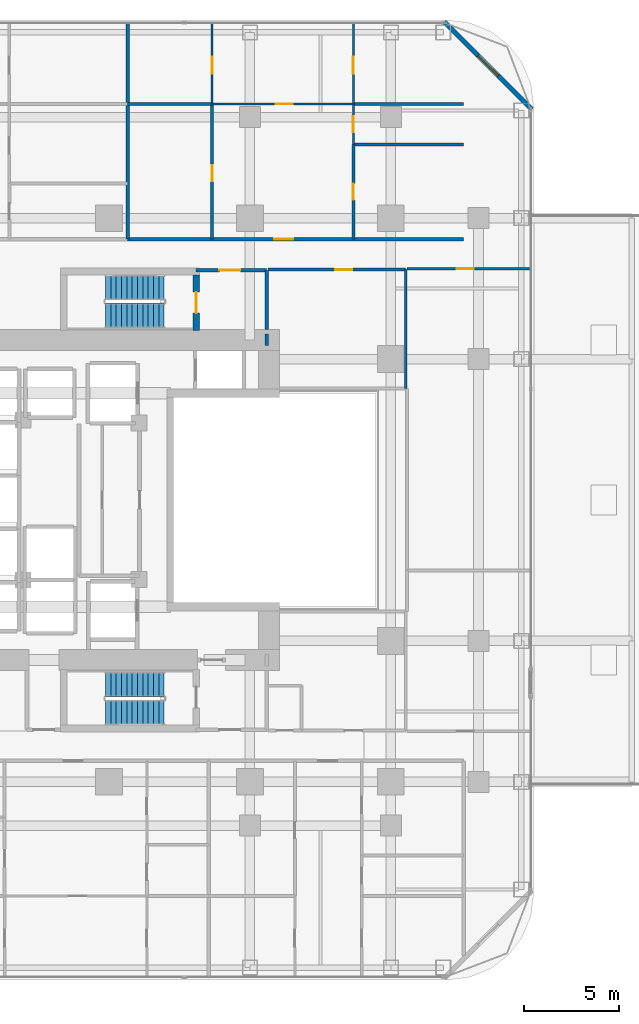
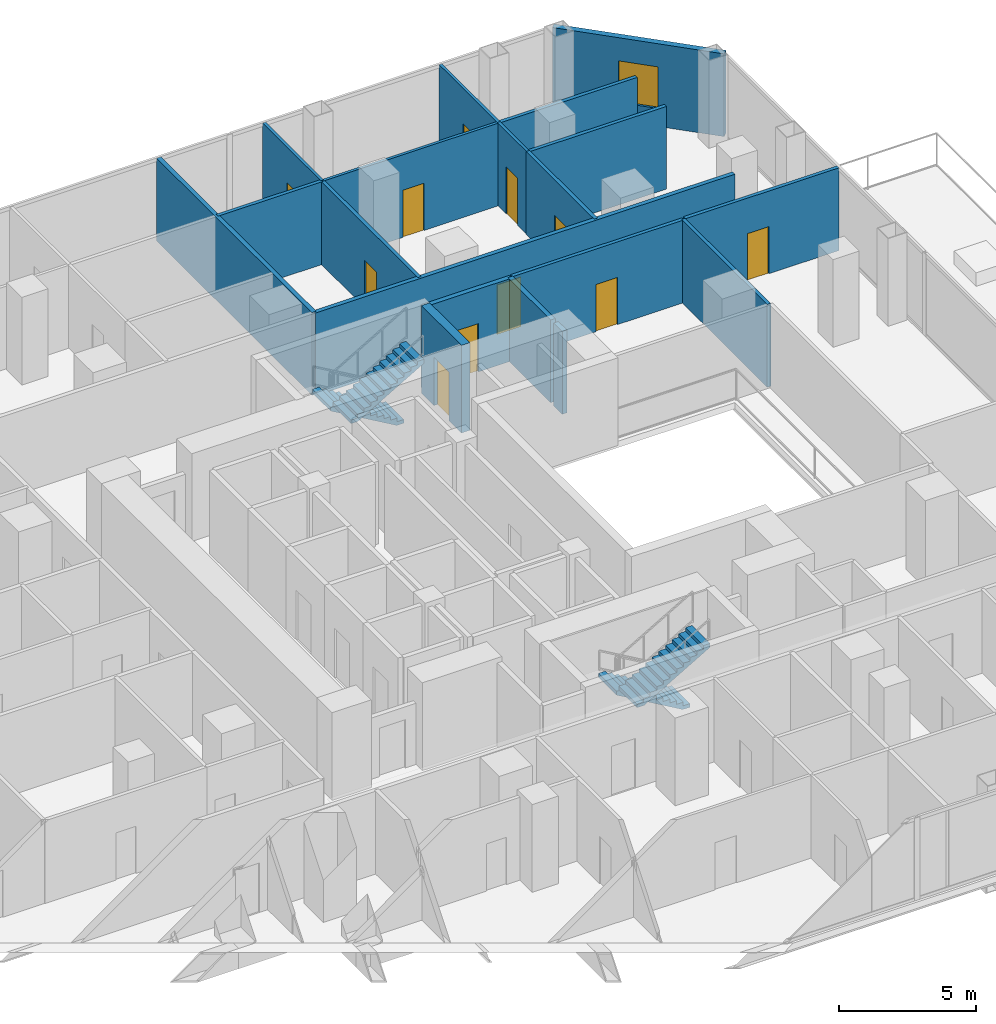
# One storey, part 24 of 29: 19 walls, 11 doors, 4 stair flights, 1 window, 12 openings, 2 elements without a shape of their own.
"""IFC4 building model written with IfcOpenShell, lengths in metres."""

from ifc_helpers import new_model, si_unit, direction, frame, frame_2d, origin, place, context, subcontext, project, spatial, polyline, rectangle, outline, extrude, material, layer, layer_set, type_object, element, fill, aggregate, save


model = new_model("IFC4")

# Units and contexts
model_context = context("Model", 3, precision=1e-05, world=origin(), true_north=direction((0.0, 1.0)))
body_context = subcontext(model_context, "Body", "Model", "MODEL_VIEW")
ifc_project = project(units=[si_unit("LENGTHUNIT", "METRE"), si_unit("AREAUNIT", "SQUARE_METRE"), si_unit("VOLUMEUNIT", "CUBIC_METRE"), si_unit("PLANEANGLEUNIT", "RADIAN"), si_unit("MASSUNIT", "GRAM", prefix="KILO")], contexts=[model_context])

# Site, building, storey
site_placement = place(None, origin())
site = spatial("IfcSite", under=ifc_project, at=site_placement, CompositionType="ELEMENT")
building_placement = place(site_placement, origin())
building = spatial("IfcBuilding", under=site, at=building_placement, Name="Khorvyn Point Tower", CompositionType="ELEMENT")
storey_placement = place(building_placement, frame((0.0, 0.0, 54.0)))
storey = spatial("IfcBuildingStorey", under=building, at=storey_placement, Name="L14", CompositionType="ELEMENT", Elevation=54.0)

# Wall, opening, door
ifc_material_1 = material(Name="Double acoustic gypsum on twin steel stud", Category="steel")
ifc_layer_1 = layer(ifc_material_1, 0.179931640625)
ifc_layer_set_1 = layer_set([ifc_layer_1], Name="Acoustic Double-Stud Apartment Demising Wall 180")
wall_type_1 = type_object("IfcWallType", Name="Acoustic Double-Stud Apartment Demising Wall 180", PredefinedType="PARTITIONING", material=ifc_layer_set_1)
wall_1_placement = place(storey_placement, frame((0.97412109375, 13.699951171875, 0.0), z_axis=(0.0, 0.0, 1.0), x_axis=(1.0, 0.0, 0.0)))
wall_1 = element("IfcWall", 1, at=wall_1_placement, inside=storey, type_object=wall_type_1, Name="Wall", PredefinedType="PARTITIONING", context=body_context, shape_type="SweptSolid", body=[
    extrude(rectangle(XDim=17.64599609375, YDim=0.179931640625, at=frame_2d((8.822998046875, 0.0))), origin(), (0.0, 0.0, 1.0), 3.679931640625),
])
opening_1_placement = place(wall_1_placement, frame((7.695068359375, 0.0, 0.0)))
opening_1 = element("IfcOpeningElement", 2, at=opening_1_placement, cuts=wall_1, Name="Opening ID-AP60", PredefinedType="OPENING", context=body_context, shape_type="SweptSolid", body=[
    extrude(rectangle(XDim=1.0, YDim=2.199951171875, at=frame_2d((0.5, 1.10009765625))), frame((0.0, 0.099853515625, 0.0), z_axis=(0.0, -1.0, 0.0), x_axis=(1.0, 0.0, 0.0)), (0.0, 0.0, 1.0), 0.199951171875),
])
ifc_material_2 = material(Name="Engineered hardwood fire-rated leaf", Category="wood")
door_type_1 = type_object("IfcDoorType", Name="Acoustic Solid-Core Timber Apartment Entrance Door 1000x2200", OperationType="NOTDEFINED", PredefinedType="DOOR", material=ifc_material_2)
door_1_placement = place(opening_1_placement, origin())
door_1 = element("IfcDoor", 3, at=door_1_placement, inside=storey, type_object=door_type_1, Name="Door", OperationType="SINGLE_SWING_LEFT", OverallHeight=2.199951171875, OverallWidth=1.0, PredefinedType="DOOR", context=body_context, shape_type="SweptSolid", body=[
    extrude(rectangle(XDim=1.0, YDim=2.199951171875, at=frame_2d((0.5, 1.10009765625))), frame((0.0, 0.02490234375, 0.0), z_axis=(0.0, -1.0, 0.0), x_axis=(1.0, 0.0, 0.0)), (0.0, 0.0, 1.0), 0.050048828125),
])
fill(opening_1, door_1)

# Wall
wall_2_placement = place(storey_placement, frame((0.97412109375, 13.699951171875, 0.0), z_axis=(0.0, 0.0, 1.0), x_axis=(0.0, 1.0, 0.0)))
element("IfcWall", 4, at=wall_2_placement, inside=storey, type_object=wall_type_1, Name="Wall", PredefinedType="PARTITIONING", context=body_context, shape_type="SweptSolid", body=[
    extrude(rectangle(XDim=11.330078125, YDim=0.179931640625, at=frame_2d((5.6650390625, 0.0))), origin(), (0.0, 0.0, 1.0), 3.679931640625),
])

# Wall, opening, window
ifc_material_3 = material(Name="Pale anodised aluminium rainscreen on steel stud", Category="steel")
ifc_layer_2 = layer(ifc_material_3, 0.239990234375)
ifc_layer_set_2 = layer_set([ifc_layer_2], Name="Anodised Aluminium Insulated Corner Spandrel Wall 240")
wall_type_2 = type_object("IfcWallType", Name="Anodised Aluminium Insulated Corner Spandrel Wall 240", PredefinedType="SOLIDWALL", material=ifc_layer_set_2)
wall_3_placement = place(storey_placement, frame((17.607666015625, 25.09228515625, 0.0), z_axis=(0.0, 0.0, 1.0), x_axis=(0.707106781187, -0.707106781187, 0.0)))
wall_3 = element("IfcWall", 5, at=wall_3_placement, inside=storey, type_object=wall_type_2, Name="L14 Rounded Corner Wall NE", PredefinedType="SOLIDWALL", context=body_context, shape_type="SweptSolid", body=[
    extrude(rectangle(XDim=6.48388671875, YDim=0.239990234375, at=frame_2d((3.241943359375, 0.0))), origin(), (0.0, 0.0, 1.0), 3.679931640625),
])
opening_2_placement = place(wall_3_placement, frame((2.491943359375, 0.0, 0.800048828125)))
opening_2 = element("IfcOpeningElement", 6, at=opening_2_placement, cuts=wall_3, Name="Opening WN-1518", PredefinedType="OPENING", context=body_context, shape_type="SweptSolid", body=[
    extrude(rectangle(XDim=1.5, YDim=1.85009765625, at=frame_2d((0.75, 0.925048828125))), frame((0.0, 0.1298828125, 0.0), z_axis=(0.0, -1.0, 0.0), x_axis=(1.0, 0.0, 0.0)), (0.0, 0.0, 1.0), 0.260009765625),
])
ifc_material_4 = material(Name="Anodised aluminium 6063-T6 and laminated Low-E glass", Category="aluminium")
window_type = type_object("IfcWindowType", Name="Anodised Aluminium Rounded-Corner Panoramic Window 1500x1850", PartitioningType="SINGLE_PANEL", PredefinedType="WINDOW", material=ifc_material_4)
window_placement = place(opening_2_placement, origin())
window = element("IfcWindow", 7, at=window_placement, inside=storey, type_object=window_type, Name="L14 Corner Panoramic Window NE", OverallHeight=1.85009765625, OverallWidth=1.5, PartitioningType="SINGLE_PANEL", PredefinedType="WINDOW", context=body_context, shape_type="SweptSolid", body=[
    extrude(rectangle(XDim=1.5, YDim=1.85009765625, at=frame_2d((0.75, 0.925048828125))), frame((0.0, 0.030029296875, 0.0), z_axis=(0.0, -1.0, 0.0), x_axis=(1.0, 0.0, 0.0)), (0.0, 0.0, 1.0), 0.06005859375),
])
fill(opening_2, window)

# Wall, opening, door
ifc_material_5 = material(Name="Concrete C40/50", Category="concrete")
ifc_layer_3 = layer(ifc_material_5, 0.199951171875)
ifc_layer_set_3 = layer_set([ifc_layer_3], Name="Concrete C40/50 Fire-Lobby Compartment Wall 200")
wall_type_3 = type_object("IfcWallType", Name="Concrete C40/50 Fire-Lobby Compartment Wall 200", PredefinedType="SOLIDWALL", material=ifc_layer_set_3)
wall_4_placement = place(storey_placement, frame((4.580078125, 12.06005859375, 0.0), z_axis=(0.0, 0.0, 1.0), x_axis=(1.0, 0.0, 0.0)))
wall_4 = element("IfcWall", 8, at=wall_4_placement, inside=storey, type_object=wall_type_3, Name="Wall", PredefinedType="SOLIDWALL", context=body_context, shape_type="SweptSolid", body=[
    extrude(rectangle(XDim=3.699951171875, YDim=0.199951171875, at=frame_2d((1.85009765625, 0.0))), origin(), (0.0, 0.0, 1.0), 3.679931640625),
])
opening_3_placement = place(wall_4_placement, frame((1.21240234375, 0.0, 0.0)))
opening_3 = element("IfcOpeningElement", 9, at=opening_3_placement, cuts=wall_4, Name="Opening ID-FL90", PredefinedType="OPENING", context=body_context, shape_type="SweptSolid", body=[
    extrude(rectangle(XDim=1.10009765625, YDim=2.14990234375, at=frame_2d((0.550048828125, 1.074951171875))), frame((0.0, 0.10986328125, 0.0), z_axis=(0.0, -1.0, 0.0), x_axis=(1.0, 0.0, 0.0)), (0.0, 0.0, 1.0), 0.219970703125),
])
ifc_material_6 = material(Name="Galvanised powder-coated steel", Category="steel")
door_type_2 = type_object("IfcDoorType", Name="Fire-Rated Steel Lobby and Stair Door 1100x2150", OperationType="NOTDEFINED", PredefinedType="DOOR", material=ifc_material_6)
door_2_placement = place(opening_3_placement, origin())
door_2 = element("IfcDoor", 10, at=door_2_placement, inside=storey, type_object=door_type_2, Name="Door", OperationType="SINGLE_SWING_LEFT", OverallHeight=2.14990234375, OverallWidth=1.10009765625, PredefinedType="DOOR", context=body_context, shape_type="SweptSolid", body=[
    extrude(rectangle(XDim=1.10009765625, YDim=2.14990234375, at=frame_2d((0.550048828125, 1.074951171875))), frame((0.0, 0.02490234375, 0.0), z_axis=(0.0, -1.0, 0.0), x_axis=(1.0, 0.0, 0.0)), (0.0, 0.0, 1.0), 0.050048828125),
])
fill(opening_3, door_2)

# Walls
wall_5_placement = place(storey_placement, frame((8.280029296875, 8.949951171875, 0.0), z_axis=(0.0, 0.0, 1.0), x_axis=(0.0, 1.0, 0.0)))
element("IfcWall", 11, at=wall_5_placement, inside=storey, type_object=wall_type_3, Name="Wall", PredefinedType="SOLIDWALL", context=body_context, shape_type="SweptSolid", body=[
    extrude(rectangle(XDim=3.110107421875, YDim=0.199951171875, at=frame_2d((1.55517578125, 0.0))), origin(), (0.0, 0.0, 1.0), 3.679931640625),
])
wall_6_placement = place(storey_placement, frame((8.280029296875, 8.10009765625, 0.0), z_axis=(0.0, 0.0, 1.0), x_axis=(0.0, 1.0, 0.0)))
element("IfcWall", 12, at=wall_6_placement, inside=storey, type_object=wall_type_3, Name="Wall", PredefinedType="SOLIDWALL", context=body_context, shape_type="SweptSolid", body=[
    extrude(rectangle(XDim=0.625, YDim=0.199951171875, at=frame_2d((0.3125, 0.0))), origin(), (0.0, 0.0, 1.0), 3.679931640625),
])

# Wall, opening, door
ifc_layer_4 = layer(ifc_material_5, 0.35009765625)
ifc_layer_set_4 = layer_set([ifc_layer_4], Name="Concrete C40/50 Stair Shaft Structural Wall 350")
wall_type_4 = type_object("IfcWallType", Name="Concrete C40/50 Stair Shaft Structural Wall 350", PredefinedType="SHEAR", material=ifc_layer_set_4)
wall_7_placement = place(storey_placement, frame((4.580078125, 11.824951171875, 0.0), z_axis=(0.0, 0.0, 1.0), x_axis=(0.0, -1.0, 0.0)))
wall_7 = element("IfcWall", 13, at=wall_7_placement, inside=storey, type_object=wall_type_4, Name="L14 ST-02 East Landing Door Wall", PredefinedType="SHEAR", context=body_context, shape_type="SweptSolid", body=[
    extrude(rectangle(XDim=2.925048828125, YDim=0.35009765625, at=frame_2d((1.46240234375, 0.0))), origin(), (0.0, 0.0, 1.0), 3.89990234375),
])
opening_4_placement = place(wall_7_placement, frame((0.91259765625, 0.0, 0.0)))
opening_4 = element("IfcOpeningElement", 14, at=opening_4_placement, cuts=wall_7, Name="Opening ID-FL90", PredefinedType="OPENING", context=body_context, shape_type="SweptSolid", body=[
    extrude(rectangle(XDim=1.10009765625, YDim=2.14990234375, at=frame_2d((0.550048828125, 1.074951171875))), frame((0.0, 0.18505859375, 0.0), z_axis=(0.0, -1.0, 0.0), x_axis=(1.0, 0.0, 0.0)), (0.0, 0.0, 1.0), 0.3701171875),
])
door_3_placement = place(opening_4_placement, origin())
door_3 = element("IfcDoor", 15, at=door_3_placement, inside=storey, type_object=door_type_2, Name="L14 ST-02 Smokeproof Landing Door", OperationType="SINGLE_SWING_LEFT", OverallHeight=2.14990234375, OverallWidth=1.10009765625, PredefinedType="DOOR", context=body_context, shape_type="SweptSolid", body=[
    extrude(rectangle(XDim=1.10009765625, YDim=2.14990234375, at=frame_2d((0.550048828125, 1.074951171875))), frame((0.0, 0.02490234375, 0.0), z_axis=(0.0, -1.0, 0.0), x_axis=(1.0, 0.0, 0.0)), (0.0, 0.0, 1.0), 0.050048828125),
])
fill(opening_4, door_3)

ifc_material_7 = material(Name="Gypsum plasterboard on steel stud", Category="steel")
ifc_layer_5 = layer(ifc_material_7, 0.1201171875)
ifc_layer_set_5 = layer_set([ifc_layer_5], Name="Gypsum Acoustic Stud Room Partition Wall 120")
wall_type_5 = type_object("IfcWallType", Name="Gypsum Acoustic Stud Room Partition Wall 120", PredefinedType="PARTITIONING", material=ifc_layer_set_5)
wall_8_placement = place(storey_placement, frame((5.412109375, 20.7900390625, 0.0), z_axis=(0.0, 0.0, 1.0), x_axis=(1.0, 0.0, 0.0)))
wall_8 = element("IfcWall", 16, at=wall_8_placement, inside=storey, type_object=wall_type_5, Name="Wall", PredefinedType="PARTITIONING", context=body_context, shape_type="SweptSolid", body=[
    extrude(rectangle(XDim=7.419921875, YDim=0.1201171875, at=frame_2d((3.7099609375, 0.0))), origin(), (0.0, 0.0, 1.0), 3.679931640625),
])
opening_5_placement = place(wall_8_placement, frame((3.3486328125, 0.0, 0.0)))
opening_5 = element("IfcOpeningElement", 17, at=opening_5_placement, cuts=wall_8, Name="Opening ID-RM90", PredefinedType="OPENING", context=body_context, shape_type="SweptSolid", body=[
    extrude(rectangle(XDim=0.89990234375, YDim=2.10009765625, at=frame_2d((0.449951171875, 1.050048828125))), frame((0.0, 0.070068359375, 0.0), z_axis=(0.0, -1.0, 0.0), x_axis=(1.0, 0.0, 0.0)), (0.0, 0.0, 1.0), 0.14013671875),
])
ifc_material_8 = material(Name="Engineered oak veneer timber", Category="wood")
door_type_3 = type_object("IfcDoorType", Name="Flush Engineered Timber Room Door 900x2100", OperationType="NOTDEFINED", PredefinedType="DOOR", material=ifc_material_8)
door_4_placement = place(opening_5_placement, origin())
door_4 = element("IfcDoor", 18, at=door_4_placement, inside=storey, type_object=door_type_3, Name="Door", OperationType="SINGLE_SWING_RIGHT", OverallHeight=2.10009765625, OverallWidth=0.89990234375, PredefinedType="DOOR", context=body_context, shape_type="SweptSolid", body=[
    extrude(rectangle(XDim=0.89990234375, YDim=2.10009765625, at=frame_2d((0.449951171875, 1.050048828125))), frame((0.0, 0.02490234375, 0.0), z_axis=(0.0, -1.0, 0.0), x_axis=(1.0, 0.0, 0.0)), (0.0, 0.0, 1.0), 0.050048828125),
])
fill(opening_5, door_4)

wall_9_placement = place(storey_placement, frame((5.412109375, 20.7900390625, 0.0), z_axis=(0.0, 0.0, 1.0), x_axis=(0.0, 1.0, 0.0)))
wall_9 = element("IfcWall", 19, at=wall_9_placement, inside=storey, type_object=wall_type_5, Name="Wall", PredefinedType="PARTITIONING", context=body_context, shape_type="SweptSolid", body=[
    extrude(rectangle(XDim=4.239990234375, YDim=0.1201171875, at=frame_2d((2.1201171875, 0.0))), origin(), (0.0, 0.0, 1.0), 3.679931640625),
])
opening_6_placement = place(wall_9_placement, frame((1.581298828125, 0.0, 0.0)))
opening_6 = element("IfcOpeningElement", 20, at=opening_6_placement, cuts=wall_9, Name="Opening ID-RM90", PredefinedType="OPENING", context=body_context, shape_type="SweptSolid", body=[
    extrude(rectangle(XDim=0.89990234375, YDim=2.10009765625, at=frame_2d((0.449951171875, 1.050048828125))), frame((0.0, 0.070068359375, 0.0), z_axis=(0.0, -1.0, 0.0), x_axis=(1.0, 0.0, 0.0)), (0.0, 0.0, 1.0), 0.14013671875),
])
door_5_placement = place(opening_6_placement, origin())
door_5 = element("IfcDoor", 21, at=door_5_placement, inside=storey, type_object=door_type_3, Name="Door", OperationType="SINGLE_SWING_RIGHT", OverallHeight=2.10009765625, OverallWidth=0.89990234375, PredefinedType="DOOR", context=body_context, shape_type="SweptSolid", body=[
    extrude(rectangle(XDim=0.89990234375, YDim=2.10009765625, at=frame_2d((0.449951171875, 1.050048828125))), frame((0.0, 0.02490234375, 0.0), z_axis=(0.0, -1.0, 0.0), x_axis=(1.0, 0.0, 0.0)), (0.0, 0.0, 1.0), 0.050048828125),
])
fill(opening_6, door_5)

wall_10_placement = place(storey_placement, frame((12.83203125, 18.6630859375, 0.0), z_axis=(0.0, 0.0, 1.0), x_axis=(0.0, 1.0, 0.0)))
wall_10 = element("IfcWall", 22, at=wall_10_placement, inside=storey, type_object=wall_type_5, Name="Wall", PredefinedType="PARTITIONING", context=body_context, shape_type="SweptSolid", body=[
    extrude(rectangle(XDim=2.126953125, YDim=0.1201171875, at=frame_2d((1.0634765625, 0.0))), origin(), (0.0, 0.0, 1.0), 3.679931640625),
])
opening_7_placement = place(wall_10_placement, frame((0.638427734375, 0.0, 0.0)))
opening_7 = element("IfcOpeningElement", 23, at=opening_7_placement, cuts=wall_10, Name="Opening ID-WC85", PredefinedType="OPENING", context=body_context, shape_type="SweptSolid", body=[
    extrude(rectangle(XDim=0.85009765625, YDim=2.10009765625, at=frame_2d((0.425048828125, 1.050048828125))), frame((0.0, 0.070068359375, 0.0), z_axis=(0.0, -1.0, 0.0), x_axis=(1.0, 0.0, 0.0)), (0.0, 0.0, 1.0), 0.14013671875),
])
ifc_material_9 = material(Name="High-pressure laminate on moisture-resistant core", Category="wood")
door_type_4 = type_object("IfcDoorType", Name="Moisture-Resistant Accessible Washroom Door 850x2100", OperationType="NOTDEFINED", PredefinedType="DOOR", material=ifc_material_9)
door_6_placement = place(opening_7_placement, origin())
door_6 = element("IfcDoor", 24, at=door_6_placement, inside=storey, type_object=door_type_4, Name="Door", OperationType="SINGLE_SWING_RIGHT", OverallHeight=2.10009765625, OverallWidth=0.85009765625, PredefinedType="DOOR", context=body_context, shape_type="SweptSolid", body=[
    extrude(rectangle(XDim=0.85009765625, YDim=2.10009765625, at=frame_2d((0.425048828125, 1.050048828125))), frame((0.0, 0.02490234375, 0.0), z_axis=(0.0, -1.0, 0.0), x_axis=(1.0, 0.0, 0.0)), (0.0, 0.0, 1.0), 0.050048828125),
])
fill(opening_7, door_6)

wall_11_placement = place(storey_placement, frame((12.83203125, 20.7900390625, 0.0), z_axis=(0.0, 0.0, 1.0), x_axis=(0.0, 1.0, 0.0)))
wall_11 = element("IfcWall", 25, at=wall_11_placement, inside=storey, type_object=wall_type_5, Name="Wall", PredefinedType="PARTITIONING", context=body_context, shape_type="SweptSolid", body=[
    extrude(rectangle(XDim=4.239990234375, YDim=0.1201171875, at=frame_2d((2.1201171875, 0.0))), origin(), (0.0, 0.0, 1.0), 3.679931640625),
])
opening_8_placement = place(wall_11_placement, frame((1.581298828125, 0.0, 0.0)))
opening_8 = element("IfcOpeningElement", 26, at=opening_8_placement, cuts=wall_11, Name="Opening ID-RM90", PredefinedType="OPENING", context=body_context, shape_type="SweptSolid", body=[
    extrude(rectangle(XDim=0.89990234375, YDim=2.10009765625, at=frame_2d((0.449951171875, 1.050048828125))), frame((0.0, 0.070068359375, 0.0), z_axis=(0.0, -1.0, 0.0), x_axis=(1.0, 0.0, 0.0)), (0.0, 0.0, 1.0), 0.14013671875),
])
door_7_placement = place(opening_8_placement, origin())
door_7 = element("IfcDoor", 27, at=door_7_placement, inside=storey, type_object=door_type_3, Name="Door", OperationType="SINGLE_SWING_LEFT", OverallHeight=2.10009765625, OverallWidth=0.89990234375, PredefinedType="DOOR", context=body_context, shape_type="SweptSolid", body=[
    extrude(rectangle(XDim=0.89990234375, YDim=2.10009765625, at=frame_2d((0.449951171875, 1.050048828125))), frame((0.0, 0.02490234375, 0.0), z_axis=(0.0, -1.0, 0.0), x_axis=(1.0, 0.0, 0.0)), (0.0, 0.0, 1.0), 0.050048828125),
])
fill(opening_8, door_7)

ifc_material_10 = material(Name="Moisture-resistant gypsum and cement board", Category="gypsum")
ifc_layer_6 = layer(ifc_material_10, 0.14990234375)
ifc_layer_set_6 = layer_set([ifc_layer_6], Name="Moisture-Resistant Wet-Room Partition Wall 150")
wall_type_6 = type_object("IfcWallType", Name="Moisture-Resistant Wet-Room Partition Wall 150", PredefinedType="PARTITIONING", material=ifc_layer_set_6)
wall_12_placement = place(storey_placement, frame((8.360107421875, 12.10009765625, 0.0), z_axis=(0.0, 0.0, 1.0), x_axis=(1.0, 0.0, 0.0)))
wall_12 = element("IfcWall", 28, at=wall_12_placement, inside=storey, type_object=wall_type_6, Name="Wall", PredefinedType="PARTITIONING", context=body_context, shape_type="SweptSolid", body=[
    extrude(rectangle(XDim=7.219970703125, YDim=0.14990234375, at=frame_2d((3.60986328125, 0.0))), origin(), (0.0, 0.0, 1.0), 3.679931640625),
])
opening_9_placement = place(wall_12_placement, frame((3.512939453125, 0.0, 0.0)))
opening_9 = element("IfcOpeningElement", 29, at=opening_9_placement, cuts=wall_12, Name="Opening ID-RM90", PredefinedType="OPENING", context=body_context, shape_type="SweptSolid", body=[
    extrude(rectangle(XDim=0.89990234375, YDim=2.10009765625, at=frame_2d((0.449951171875, 1.050048828125))), frame((0.0, 0.0849609375, 0.0), z_axis=(0.0, -1.0, 0.0), x_axis=(1.0, 0.0, 0.0)), (0.0, 0.0, 1.0), 0.169921875),
])
door_8_placement = place(opening_9_placement, origin())
door_8 = element("IfcDoor", 30, at=door_8_placement, inside=storey, type_object=door_type_3, Name="Door", OperationType="SINGLE_SWING_LEFT", OverallHeight=2.10009765625, OverallWidth=0.89990234375, PredefinedType="DOOR", context=body_context, shape_type="SweptSolid", body=[
    extrude(rectangle(XDim=0.89990234375, YDim=2.10009765625, at=frame_2d((0.449951171875, 1.050048828125))), frame((0.0, 0.02490234375, 0.0), z_axis=(0.0, -1.0, 0.0), x_axis=(1.0, 0.0, 0.0)), (0.0, 0.0, 1.0), 0.050048828125),
])
fill(opening_9, door_8)

wall_13_placement = place(storey_placement, frame((5.412109375, 13.699951171875, 0.0), z_axis=(0.0, 0.0, 1.0), x_axis=(0.0, 1.0, 0.0)))
wall_13 = element("IfcWall", 31, at=wall_13_placement, inside=storey, type_object=wall_type_6, Name="Wall", PredefinedType="PARTITIONING", context=body_context, shape_type="SweptSolid", body=[
    extrude(rectangle(XDim=7.090087890625, YDim=0.14990234375, at=frame_2d((3.544921875, 0.0))), origin(), (0.0, 0.0, 1.0), 3.679931640625),
])
opening_10_placement = place(wall_13_placement, frame((3.0302734375, 0.0, 0.0)))
opening_10 = element("IfcOpeningElement", 32, at=opening_10_placement, cuts=wall_13, Name="Opening ID-WC85", PredefinedType="OPENING", context=body_context, shape_type="SweptSolid", body=[
    extrude(rectangle(XDim=0.85009765625, YDim=2.10009765625, at=frame_2d((0.425048828125, 1.050048828125))), frame((0.0, 0.0849609375, 0.0), z_axis=(0.0, -1.0, 0.0), x_axis=(1.0, 0.0, 0.0)), (0.0, 0.0, 1.0), 0.169921875),
])
door_9_placement = place(opening_10_placement, origin())
door_9 = element("IfcDoor", 33, at=door_9_placement, inside=storey, type_object=door_type_4, Name="Door", OperationType="SINGLE_SWING_LEFT", OverallHeight=2.10009765625, OverallWidth=0.85009765625, PredefinedType="DOOR", context=body_context, shape_type="SweptSolid", body=[
    extrude(rectangle(XDim=0.85009765625, YDim=2.10009765625, at=frame_2d((0.425048828125, 1.050048828125))), frame((0.0, 0.02490234375, 0.0), z_axis=(0.0, -1.0, 0.0), x_axis=(1.0, 0.0, 0.0)), (0.0, 0.0, 1.0), 0.050048828125),
])
fill(opening_10, door_9)

wall_14_placement = place(storey_placement, frame((12.83203125, 13.699951171875, 0.0), z_axis=(0.0, 0.0, 1.0), x_axis=(0.0, 1.0, 0.0)))
wall_14 = element("IfcWall", 34, at=wall_14_placement, inside=storey, type_object=wall_type_6, Name="Wall", PredefinedType="PARTITIONING", context=body_context, shape_type="SweptSolid", body=[
    extrude(rectangle(XDim=4.963134765625, YDim=0.14990234375, at=frame_2d((2.4814453125, 0.0))), origin(), (0.0, 0.0, 1.0), 3.679931640625),
])
opening_11_placement = place(wall_14_placement, frame((2.056396484375, 0.0, 0.0)))
opening_11 = element("IfcOpeningElement", 35, at=opening_11_placement, cuts=wall_14, Name="Opening ID-WC85", PredefinedType="OPENING", context=body_context, shape_type="SweptSolid", body=[
    extrude(rectangle(XDim=0.85009765625, YDim=2.10009765625, at=frame_2d((0.425048828125, 1.050048828125))), frame((0.0, 0.0849609375, 0.0), z_axis=(0.0, -1.0, 0.0), x_axis=(1.0, 0.0, 0.0)), (0.0, 0.0, 1.0), 0.169921875),
])
door_10_placement = place(opening_11_placement, origin())
door_10 = element("IfcDoor", 36, at=door_10_placement, inside=storey, type_object=door_type_4, Name="Door", OperationType="SINGLE_SWING_LEFT", OverallHeight=2.10009765625, OverallWidth=0.85009765625, PredefinedType="DOOR", context=body_context, shape_type="SweptSolid", body=[
    extrude(rectangle(XDim=0.85009765625, YDim=2.10009765625, at=frame_2d((0.425048828125, 1.050048828125))), frame((0.0, 0.02490234375, 0.0), z_axis=(0.0, -1.0, 0.0), x_axis=(1.0, 0.0, 0.0)), (0.0, 0.0, 1.0), 0.050048828125),
])
fill(opening_11, door_10)

wall_15_placement = place(storey_placement, frame((15.64990234375, 12.139892578125, 0.0), z_axis=(0.0, 0.0, 1.0), x_axis=(1.0, 0.0, 0.0)))
wall_15 = element("IfcWall", 37, at=wall_15_placement, inside=storey, type_object=wall_type_6, Name="Wall", PredefinedType="PARTITIONING", context=body_context, shape_type="SweptSolid", body=[
    extrude(rectangle(XDim=6.47021484375, YDim=0.14990234375, at=frame_2d((3.235107421875, 0.0))), origin(), (0.0, 0.0, 1.0), 3.679931640625),
])
opening_12_placement = place(wall_15_placement, frame((2.610107421875, 0.0, 0.0)))
opening_12 = element("IfcOpeningElement", 38, at=opening_12_placement, cuts=wall_15, Name="Opening ID-RM90", PredefinedType="OPENING", context=body_context, shape_type="SweptSolid", body=[
    extrude(rectangle(XDim=0.89990234375, YDim=2.10009765625, at=frame_2d((0.449951171875, 1.050048828125))), frame((0.0, 0.0849609375, 0.0), z_axis=(0.0, -1.0, 0.0), x_axis=(1.0, 0.0, 0.0)), (0.0, 0.0, 1.0), 0.169921875),
])
door_11_placement = place(opening_12_placement, origin())
door_11 = element("IfcDoor", 39, at=door_11_placement, inside=storey, type_object=door_type_3, Name="Door", OperationType="SINGLE_SWING_LEFT", OverallHeight=2.10009765625, OverallWidth=0.89990234375, PredefinedType="DOOR", context=body_context, shape_type="SweptSolid", body=[
    extrude(rectangle(XDim=0.89990234375, YDim=2.10009765625, at=frame_2d((0.449951171875, 1.050048828125))), frame((0.0, 0.02490234375, 0.0), z_axis=(0.0, -1.0, 0.0), x_axis=(1.0, 0.0, 0.0)), (0.0, 0.0, 1.0), 0.050048828125),
])
fill(opening_12, door_11)

# Walls
wall_16_placement = place(storey_placement, frame((15.580078125, 5.85009765625, 0.0), z_axis=(0.0, 0.0, 1.0), x_axis=(0.0, 1.0, 0.0)))
element("IfcWall", 40, at=wall_16_placement, inside=storey, type_object=wall_type_6, Name="Wall", PredefinedType="PARTITIONING", context=body_context, shape_type="SweptSolid", body=[
    extrude(rectangle(XDim=6.25, YDim=0.14990234375, at=frame_2d((3.125, 0.0))), origin(), (0.0, 0.0, 1.0), 3.679931640625),
])
wall_17_placement = place(storey_placement, frame((0.97412109375, 20.7900390625, 0.0), z_axis=(0.0, 0.0, 1.0), x_axis=(1.0, 0.0, 0.0)))
element("IfcWall", 41, at=wall_17_placement, inside=storey, type_object=wall_type_6, Name="Wall", PredefinedType="PARTITIONING", context=body_context, shape_type="SweptSolid", body=[
    extrude(rectangle(XDim=4.43798828125, YDim=0.14990234375, at=frame_2d((2.218994140625, 0.0))), origin(), (0.0, 0.0, 1.0), 3.679931640625),
])
for number, where, z_axis, x_axis, name in (
    (42, (12.83203125, 18.6630859375, 0.0), (0.0, 0.0, 1.0), (1.0, 0.0, 0.0), "Wall"),
    (43, (12.83203125, 20.7900390625, 0.0), (0.0, 0.0, 1.0), (1.0, 0.0, 0.0), "Wall"),
):
    element("IfcWall", number, at=place(storey_placement, frame(where, z_axis=z_axis, x_axis=x_axis)), inside=storey, type_object=wall_type_6, Name=name, PredefinedType="PARTITIONING", context=body_context, shape_type="SweptSolid", body=[
        extrude(rectangle(XDim=5.7880859375, YDim=0.14990234375, at=frame_2d((2.89404296875, 0.0))), origin(), (0.0, 0.0, 1.0), 3.679931640625),
    ])

# Stair, stair flights
stair_type = type_object("IfcStairType", Name="Tower Concrete C40/50 Dogleg Exit Stair", PredefinedType="HALF_TURN_STAIR", material=ifc_material_5)
stair_1_placement = place(storey_placement, origin())
stair_1 = element("IfcStair", 44, at=stair_1_placement, inside=storey, type_object=stair_type, Name="L14 Tower Smokeproof Exit Stair South", PredefinedType="HALF_TURN_STAIR")
stair_flight_type = type_object("IfcStairFlightType", Name="Tower Concrete C40/50 Stair Flight", PredefinedType="STRAIGHT", material=ifc_material_5)
stair_flight_1_placement = place(storey_placement, frame((2.89990234375, -9.679931640625, 0.0), z_axis=(0.0, 0.0, 1.0), x_axis=(-1.0, 0.0, 0.0)))
stair_flight_1 = element("IfcStairFlight", 45, at=stair_flight_1_placement, type_object=stair_flight_type, Name="ST-01 flight 1", NumberOfRisers=12, NumberOfTreads=11, PredefinedType="STRAIGHT", RiserHeight=0.1625, TreadLength=0.28, context=body_context, shape_type="SweptSolid", body=[
    extrude(outline(polyline([(0.0, 0.0), (0.0, 0.16259765625), (0.280029296875, 0.16259765625), (0.280029296875, 0.324951171875), (0.56005859375, 0.324951171875), (0.56005859375, 0.487548828125), (0.840087890625, 0.487548828125), (0.840087890625, 0.64990234375), (1.1201171875, 0.64990234375), (1.1201171875, 0.8125), (1.39990234375, 0.8125), (1.39990234375, 0.97509765625), (1.679931640625, 0.97509765625), (1.679931640625, 1.137451171875), (1.9599609375, 1.137451171875), (1.9599609375, 1.300048828125), (2.239990234375, 1.300048828125), (2.239990234375, 1.46240234375), (2.52001953125, 1.46240234375), (2.52001953125, 1.625), (2.800048828125, 1.625), (2.800048828125, 1.78759765625), (3.080078125, 1.78759765625), (3.080078125, 1.949951171875), (3.080078125, 1.6142578125), (0.298583984375, 0.0), (0.0, 0.0)])), frame((0.0, 0.66015625, 0.0), z_axis=(0.0, -1.0, 0.0), x_axis=(1.0, 0.0, 0.0)), (0.0, 0.0, 1.0), 1.320068359375),
])
stair_flight_2_placement = place(storey_placement, frame((-0.179931640625, -11.159912109375, 1.949951171875), z_axis=(0.0, 0.0, 1.0), x_axis=(1.0, 0.0, 0.0)))
stair_flight_2 = element("IfcStairFlight", 46, at=stair_flight_2_placement, type_object=stair_flight_type, Name="ST-01 flight 2", NumberOfRisers=12, NumberOfTreads=11, PredefinedType="STRAIGHT", RiserHeight=0.1625, TreadLength=0.28, context=body_context, shape_type="SweptSolid", body=[
    extrude(outline(polyline([(0.0, 0.0), (0.0, 0.16259765625), (0.280029296875, 0.16259765625), (0.280029296875, 0.324951171875), (0.56005859375, 0.324951171875), (0.56005859375, 0.487548828125), (0.840087890625, 0.487548828125), (0.840087890625, 0.64990234375), (1.1201171875, 0.64990234375), (1.1201171875, 0.8125), (1.39990234375, 0.8125), (1.39990234375, 0.97509765625), (1.679931640625, 0.97509765625), (1.679931640625, 1.137451171875), (1.9599609375, 1.137451171875), (1.9599609375, 1.300048828125), (2.239990234375, 1.300048828125), (2.239990234375, 1.46240234375), (2.52001953125, 1.46240234375), (2.52001953125, 1.625), (2.800048828125, 1.625), (2.800048828125, 1.78759765625), (3.080078125, 1.78759765625), (3.080078125, 1.949951171875), (3.080078125, 1.6142578125), (0.298583984375, 0.0), (0.0, 0.0)])), frame((0.0, 0.66015625, 0.0), z_axis=(0.0, -1.0, 0.0), x_axis=(1.0, 0.0, 0.0)), (0.0, 0.0, 1.0), 1.320068359375),
])
aggregate(stair_1, [stair_flight_1, stair_flight_2])

stair_2_placement = place(storey_placement, origin())
stair_2 = element("IfcStair", 47, at=stair_2_placement, inside=storey, type_object=stair_type, Name="L14 Tower Smokeproof Exit Stair North", PredefinedType="HALF_TURN_STAIR")
stair_flight_3_placement = place(storey_placement, frame((2.89990234375, 11.159912109375, 0.0), z_axis=(0.0, 0.0, 1.0), x_axis=(-1.0, 0.0, 0.0)))
stair_flight_3 = element("IfcStairFlight", 48, at=stair_flight_3_placement, type_object=stair_flight_type, Name="ST-02 flight 1", NumberOfRisers=12, NumberOfTreads=11, PredefinedType="STRAIGHT", RiserHeight=0.1625, TreadLength=0.28, context=body_context, shape_type="SweptSolid", body=[
    extrude(outline(polyline([(0.0, 0.0), (0.0, 0.16259765625), (0.280029296875, 0.16259765625), (0.280029296875, 0.324951171875), (0.56005859375, 0.324951171875), (0.56005859375, 0.487548828125), (0.840087890625, 0.487548828125), (0.840087890625, 0.64990234375), (1.1201171875, 0.64990234375), (1.1201171875, 0.8125), (1.39990234375, 0.8125), (1.39990234375, 0.97509765625), (1.679931640625, 0.97509765625), (1.679931640625, 1.137451171875), (1.9599609375, 1.137451171875), (1.9599609375, 1.300048828125), (2.239990234375, 1.300048828125), (2.239990234375, 1.46240234375), (2.52001953125, 1.46240234375), (2.52001953125, 1.625), (2.800048828125, 1.625), (2.800048828125, 1.78759765625), (3.080078125, 1.78759765625), (3.080078125, 1.949951171875), (3.080078125, 1.6142578125), (0.298583984375, 0.0), (0.0, 0.0)])), frame((0.0, 0.66015625, 0.0), z_axis=(0.0, -1.0, 0.0), x_axis=(1.0, 0.0, 0.0)), (0.0, 0.0, 1.0), 1.320068359375),
])
stair_flight_4_placement = place(storey_placement, frame((-0.179931640625, 9.679931640625, 1.949951171875), z_axis=(0.0, 0.0, 1.0), x_axis=(1.0, 0.0, 0.0)))
stair_flight_4 = element("IfcStairFlight", 49, at=stair_flight_4_placement, type_object=stair_flight_type, Name="ST-02 flight 2", NumberOfRisers=12, NumberOfTreads=11, PredefinedType="STRAIGHT", RiserHeight=0.1625, TreadLength=0.28, context=body_context, shape_type="SweptSolid", body=[
    extrude(outline(polyline([(0.0, 0.0), (0.0, 0.16259765625), (0.280029296875, 0.16259765625), (0.280029296875, 0.324951171875), (0.56005859375, 0.324951171875), (0.56005859375, 0.487548828125), (0.840087890625, 0.487548828125), (0.840087890625, 0.64990234375), (1.1201171875, 0.64990234375), (1.1201171875, 0.8125), (1.39990234375, 0.8125), (1.39990234375, 0.97509765625), (1.679931640625, 0.97509765625), (1.679931640625, 1.137451171875), (1.9599609375, 1.137451171875), (1.9599609375, 1.300048828125), (2.239990234375, 1.300048828125), (2.239990234375, 1.46240234375), (2.52001953125, 1.46240234375), (2.52001953125, 1.625), (2.800048828125, 1.625), (2.800048828125, 1.78759765625), (3.080078125, 1.78759765625), (3.080078125, 1.949951171875), (3.080078125, 1.6142578125), (0.298583984375, 0.0), (0.0, 0.0)])), frame((0.0, 0.66015625, 0.0), z_axis=(0.0, -1.0, 0.0), x_axis=(1.0, 0.0, 0.0)), (0.0, 0.0, 1.0), 1.320068359375),
])
aggregate(stair_2, [stair_flight_3, stair_flight_4])

save(model, "model.ifc")
